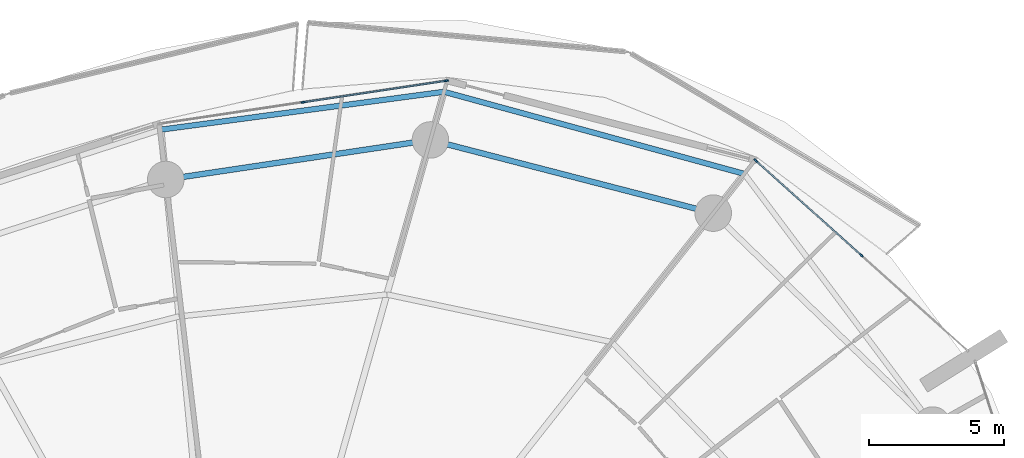
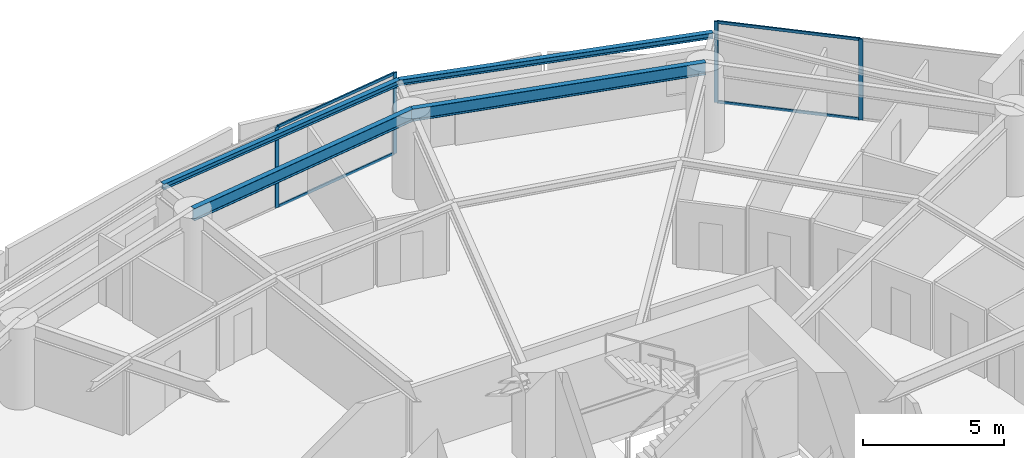
# One storey, part 16 of 31: 8 members, 4 beams, 2 elements without a shape of their own.
"""IFC4 building model written with IfcOpenShell, lengths in metres."""

from ifc_helpers import new_model, si_unit, direction, frame, origin, origin_2d, place, context, subcontext, project, spatial, rectangle, i_section, extrude, material, layer, layer_set, material_profile, profile_set, type_object, element, aggregate, save


model = new_model("IFC4")

# Units and contexts
model_context = context("Model", 3, precision=1e-05, world=origin(), true_north=direction((0.0, 1.0)))
body_context = subcontext(model_context, "Body", "Model", "MODEL_VIEW")
ifc_project = project(units=[si_unit("LENGTHUNIT", "METRE"), si_unit("AREAUNIT", "SQUARE_METRE"), si_unit("VOLUMEUNIT", "CUBIC_METRE"), si_unit("PLANEANGLEUNIT", "RADIAN"), si_unit("MASSUNIT", "GRAM", prefix="KILO")], contexts=[model_context])

# Site, building, storey
site_placement = place(None, origin())
site = spatial("IfcSite", under=ifc_project, at=site_placement, CompositionType="ELEMENT")
building_placement = place(site_placement, origin())
building = spatial("IfcBuilding", under=site, at=building_placement, Name="Kazma Halo Residences", CompositionType="ELEMENT")
storey_placement = place(building_placement, frame((0.0, 0.0, 60.14990234375)))
storey = spatial("IfcBuildingStorey", under=building, at=storey_placement, Name="L14", CompositionType="ELEMENT", Elevation=60.14990234375)

# Beams
ifc_material_1 = material(Name="Steel S355", Category="steel")
ifc_material_profile_1 = material_profile(ifc_material_1, i_section(OverallWidth=0.201904296875, OverallDepth=0.2470703125, WebThickness=0.00732421875, FlangeThickness=0.010986328125, FilletRadius=0.011962890625, at=origin_2d()), Name="W250x49.1")
ifc_profile_set_1 = profile_set([ifc_material_profile_1], Name="Steel S355")
beam_type_1 = type_object("IfcBeamType", Name="BM-BAL-CANT", PredefinedType="BEAM", material=ifc_profile_set_1)
beam_1_placement = place(storey_placement, frame((66.603515625, 65.598388671875, 3.376708984375), z_axis=(-0.964628474934, 0.263613173697, 0.0), x_axis=(-0.263613173697, -0.964628474934, 0.0)))
element("IfcBeam", 1, at=beam_1_placement, inside=storey, type_object=beam_type_1, Name="L14 wave-balcony tie beam 02", PredefinedType="BEAM", context=body_context, shape_type="SweptSolid", body=[
    extrude(i_section(OverallWidth=0.201904296875, OverallDepth=0.2470703125, WebThickness=0.00732421875, FlangeThickness=0.010986328125, FilletRadius=0.011962890625, at=origin_2d()), origin(), (0.0, 0.0, 1.0), 11.499755859375),
])
beam_2_placement = place(storey_placement, frame((55.510498046875, 68.6298828125, 3.376708984375), z_axis=(-0.991168183526, -0.13261082899, 0.0), x_axis=(0.13261082899, -0.991168183526, 0.0)))
element("IfcBeam", 2, at=beam_2_placement, inside=storey, type_object=beam_type_1, Name="L14 wave-balcony tie beam 03", PredefinedType="BEAM", context=body_context, shape_type="SweptSolid", body=[
    extrude(i_section(OverallWidth=0.201904296875, OverallDepth=0.2470703125, WebThickness=0.00732421875, FlangeThickness=0.010986328125, FilletRadius=0.011962890625, at=origin_2d()), origin(), (0.0, 0.0, 1.0), 10.551025390625),
])
ifc_material_profile_2 = material_profile(ifc_material_1, i_section(OverallWidth=0.208984375, OverallDepth=0.532958984375, WebThickness=0.01025390625, FlangeThickness=0.015625, FilletRadius=0.01611328125, at=origin_2d()), Name="W530x92")
ifc_profile_set_2 = profile_set([ifc_material_profile_2], Name="Steel S355")
beam_type_2 = type_object("IfcBeamType", Name="BM-SPN-W530", PredefinedType="BEAM", material=ifc_profile_set_2)
beam_3_placement = place(storey_placement, frame((65.458251953125, 64.145751953125, 3.233642578125), z_axis=(-0.968123558238, 0.250473104313, 0.0), x_axis=(-0.250473104313, -0.968123558238, 0.0)))
element("IfcBeam", 3, at=beam_3_placement, inside=storey, type_object=beam_type_2, Name="L14 perimeter ring beam 02", PredefinedType="BEAM", context=body_context, shape_type="SweptSolid", body=[
    extrude(i_section(OverallWidth=0.208984375, OverallDepth=0.532958984375, WebThickness=0.01025390625, FlangeThickness=0.015625, FilletRadius=0.01611328125, at=origin_2d()), origin(), (0.0, 0.0, 1.0), 10.7939453125),
])
beam_4_placement = place(storey_placement, frame((55.00830078125, 66.849365234375, 3.233642578125), z_axis=(-0.989033061974, -0.147694286693, 0.0), x_axis=(0.147694286693, -0.989033061974, 0.0)))
element("IfcBeam", 4, at=beam_4_placement, inside=storey, type_object=beam_type_2, Name="L14 perimeter ring beam 03", PredefinedType="BEAM", context=body_context, shape_type="SweptSolid", body=[
    extrude(i_section(OverallWidth=0.208984375, OverallDepth=0.532958984375, WebThickness=0.01025390625, FlangeThickness=0.015625, FilletRadius=0.01611328125, at=origin_2d()), origin(), (0.0, 0.0, 1.0), 9.885009765625),
])

# Curtain wall, members
ifc_material_2 = material(Name="Aluminium AW-6063 T6 and Triple-Silver Low-E Glass", Category="aluminium")
ifc_layer = layer(ifc_material_2, 0.159912109375)
ifc_layer_set = layer_set([ifc_layer], Name="Aluminium AW-6063 T6 and Triple-Silver Low-E Glass")
curtain_wall_type = type_object("IfcCurtainWallType", Name="CW-SYS-2", PredefinedType="NOTDEFINED", material=ifc_layer_set)
curtain_wall_1_placement = place(storey_placement, origin())
curtain_wall_1 = element("IfcCurtainWall", 5, at=curtain_wall_1_placement, inside=storey, type_object=curtain_wall_type, Name="L14 unitised curtain wall B01", PredefinedType="NOTDEFINED")
ifc_material_3 = material(Name="Aluminium AW-6063 T6", Category="aluminium")
ifc_material_profile_3 = material_profile(ifc_material_3, rectangle(XDim=0.06005859375, YDim=0.159912109375, at=origin_2d()), Name="CWM-60x160")
ifc_profile_set_3 = profile_set([ifc_material_profile_3], Name="Aluminium AW-6063 T6")
member_type_1 = type_object("IfcMemberType", Name="CW-SYS-2-MUL", PredefinedType="MULLION", material=ifc_profile_set_3)
member_1_placement = place(storey_placement, frame((70.92724609375, 62.590087890625, 0.0), z_axis=(0.0, 0.0, 1.0), x_axis=(-0.667821453854, -0.744321506993, 0.0)))
member_1 = element("IfcMember", 6, at=member_1_placement, type_object=member_type_1, Name="CWS-2 mullion 2", PredefinedType="MULLION", context=body_context, shape_type="SweptSolid", body=[
    extrude(rectangle(XDim=0.06005859375, YDim=0.159912109375, at=origin_2d()), origin(), (0.0, 0.0, 1.0), 3.5),
])
member_2_placement = place(storey_placement, frame((67.028076171875, 66.088623046875, 0.0), z_axis=(0.0, 0.0, 1.0), x_axis=(-0.667821453854, -0.744321506993, 0.0)))
member_2 = element("IfcMember", 7, at=member_2_placement, type_object=member_type_1, Name="CWS-2 mullion 3", PredefinedType="MULLION", context=body_context, shape_type="SweptSolid", body=[
    extrude(rectangle(XDim=0.06005859375, YDim=0.159912109375, at=origin_2d()), origin(), (0.0, 0.0, 1.0), 3.5),
])

curtain_wall_2_placement = place(storey_placement, origin())
curtain_wall_2 = element("IfcCurtainWall", 8, at=curtain_wall_2_placement, inside=storey, type_object=curtain_wall_type, Name="L14 unitised curtain wall B03", PredefinedType="NOTDEFINED")
member_3_placement = place(storey_placement, frame((55.596923828125, 69.037841796875, 0.0), z_axis=(0.0, 0.0, 1.0), x_axis=(0.148657272805, -0.988888777994, 0.0)))
member_3 = element("IfcMember", 9, at=member_3_placement, type_object=member_type_1, Name="CWS-2 mullion 1", PredefinedType="MULLION", context=body_context, shape_type="SweptSolid", body=[
    extrude(rectangle(XDim=0.06005859375, YDim=0.159912109375, at=origin_2d()), origin(), (0.0, 0.0, 1.0), 3.5),
])
member_4_placement = place(storey_placement, frame((50.3076171875, 68.24267578125, 0.0), z_axis=(0.0, 0.0, 1.0), x_axis=(0.148657272805, -0.988888777994, 0.0)))
member_4 = element("IfcMember", 10, at=member_4_placement, type_object=member_type_1, Name="CWS-2 mullion 2", PredefinedType="MULLION", context=body_context, shape_type="SweptSolid", body=[
    extrude(rectangle(XDim=0.06005859375, YDim=0.159912109375, at=origin_2d()), origin(), (0.0, 0.0, 1.0), 3.5),
])

# Member
ifc_material_profile_4 = material_profile(ifc_material_3, rectangle(XDim=0.06005859375, YDim=0.1201171875, at=origin_2d()), Name="CWT-60x120")
ifc_profile_set_4 = profile_set([ifc_material_profile_4], Name="Aluminium AW-6063 T6")
member_type_2 = type_object("IfcMemberType", Name="CW-SYS-2-TRN", PredefinedType="USERDEFINED", material=ifc_profile_set_4)
member_5_placement = place(storey_placement, frame((70.905029296875, 62.6103515625, 0.030029296875), z_axis=(-0.744329408538, 0.66781264707, 0.0), x_axis=(-0.66781264707, -0.744329408538, 0.0)))
member_5 = element("IfcMember", 11, at=member_5_placement, type_object=member_type_2, Name="CWS-2 transom 2.1", ObjectType="TRANSOM", PredefinedType="USERDEFINED", context=body_context, shape_type="SweptSolid", body=[
    extrude(rectangle(XDim=0.06005859375, YDim=0.1201171875, at=origin_2d()), origin(), (0.0, 0.0, 1.0), 5.178466796875),
])

member_6_placement = place(storey_placement, frame((70.905029296875, 62.6103515625, 3.47021484375), z_axis=(-0.744329408538, 0.66781264707, 0.0), x_axis=(-0.66781264707, -0.744329408538, 0.0)))
member_6 = element("IfcMember", 12, at=member_6_placement, type_object=member_type_2, Name="CWS-2 transom 2.2", ObjectType="TRANSOM", PredefinedType="USERDEFINED", context=body_context, shape_type="SweptSolid", body=[
    extrude(rectangle(XDim=0.06005859375, YDim=0.1201171875, at=origin_2d()), origin(), (0.0, 0.0, 1.0), 5.178466796875),
])

aggregate(curtain_wall_1, [member_1, member_2, member_5, member_6])

member_7_placement = place(storey_placement, frame((55.5673828125, 69.033203125, 0.030029296875), z_axis=(-0.988890934274, -0.148642928222, 0.0), x_axis=(0.148642928222, -0.988890934274, 0.0)))
member_7 = element("IfcMember", 13, at=member_7_placement, type_object=member_type_2, Name="CWS-2 transom 1.1", ObjectType="TRANSOM", PredefinedType="USERDEFINED", context=body_context, shape_type="SweptSolid", body=[
    extrude(rectangle(XDim=0.06005859375, YDim=0.1201171875, at=origin_2d()), origin(), (0.0, 0.0, 1.0), 5.288818359375),
])

member_8_placement = place(storey_placement, frame((55.5673828125, 69.033203125, 3.47021484375), z_axis=(-0.988890934274, -0.148642928222, 0.0), x_axis=(0.148642928222, -0.988890934274, 0.0)))
member_8 = element("IfcMember", 14, at=member_8_placement, type_object=member_type_2, Name="CWS-2 transom 1.2", ObjectType="TRANSOM", PredefinedType="USERDEFINED", context=body_context, shape_type="SweptSolid", body=[
    extrude(rectangle(XDim=0.06005859375, YDim=0.1201171875, at=origin_2d()), origin(), (0.0, 0.0, 1.0), 5.288818359375),
])

aggregate(curtain_wall_2, [member_3, member_4, member_7, member_8])

save(model, "model.ifc")
